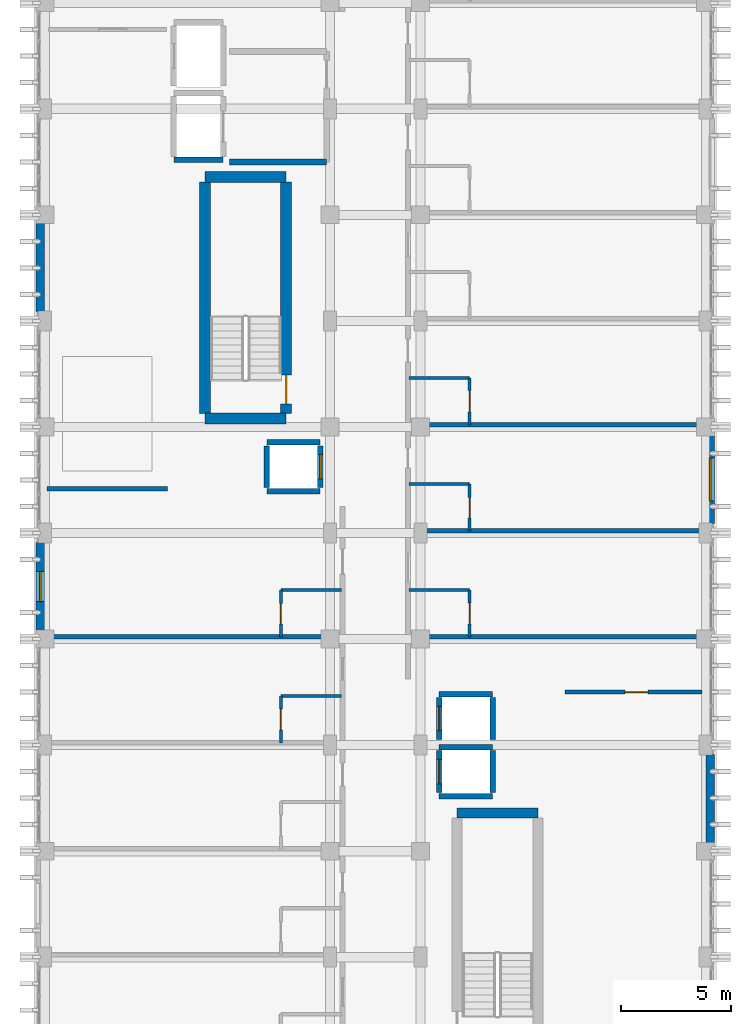
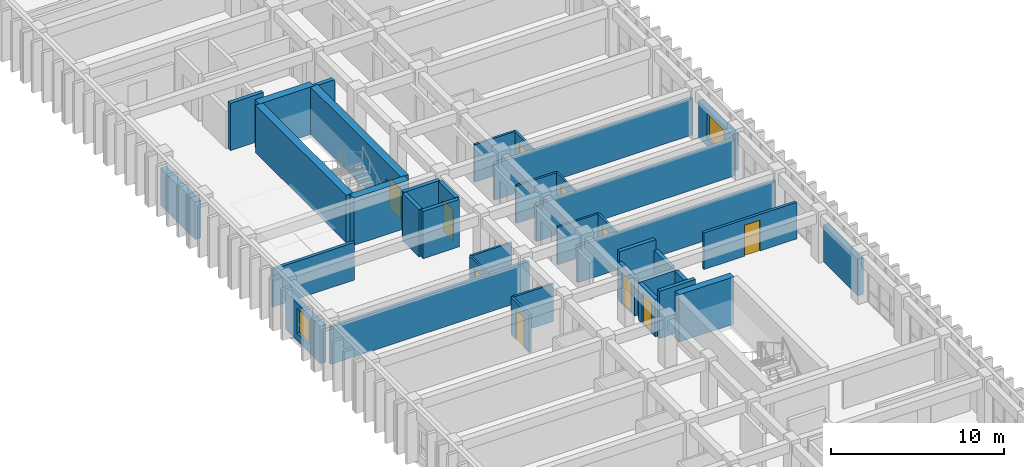
# One storey, part 65 of 82: 38 walls, 10 doors, 2 windows, 12 openings.
"""IFC4 building model written with IfcOpenShell, lengths in metres."""

from ifc_helpers import new_model, si_unit, direction, frame, frame_2d, origin, place, context, subcontext, project, spatial, rectangle, extrude, material, layer, layer_set, type_object, element, fill, save


model = new_model("IFC4")

# Units and contexts
model_context = context("Model", 3, precision=1e-05, world=origin(), true_north=direction((0.0, 1.0)))
body_context = subcontext(model_context, "Body", "Model", "MODEL_VIEW")
ifc_project = project(units=[si_unit("LENGTHUNIT", "METRE"), si_unit("AREAUNIT", "SQUARE_METRE"), si_unit("VOLUMEUNIT", "CUBIC_METRE"), si_unit("PLANEANGLEUNIT", "RADIAN"), si_unit("MASSUNIT", "GRAM", prefix="KILO")], contexts=[model_context])

# Site, building, storey
site_placement = place(None, origin())
site = spatial("IfcSite", under=ifc_project, at=site_placement, CompositionType="ELEMENT")
building_placement = place(site_placement, origin())
building = spatial("IfcBuilding", under=site, at=building_placement, Name="Nakhvara Creek Congress Hotel", CompositionType="ELEMENT")
storey_placement = place(building_placement, frame((0.0, 0.0, 21.0)))
storey = spatial("IfcBuildingStorey", under=building, at=storey_placement, Name="L04", CompositionType="ELEMENT", Elevation=21.0)

# Walls
ifc_material_1 = material(Name="Concrete C50/60", Category="concrete")
ifc_layer_1 = layer(ifc_material_1, 0.449951171875)
ifc_layer_set_1 = layer_set([ifc_layer_1], Name="Concrete C50/60")
wall_type_1 = type_object("IfcWallType", Name="W-CORE-450", PredefinedType="SHEAR", material=ifc_layer_set_1)
wall_1_placement = place(storey_placement, frame((168.10009765625, 59.320068359375, 0.0), z_axis=(0.0, 0.0, 1.0), x_axis=(1.0, 0.0, 0.0)))
element("IfcWall", 1, at=wall_1_placement, inside=storey, type_object=wall_type_1, Name="Core Shear Wall WS02-CWALL-L04-0688", PredefinedType="SHEAR", context=body_context, shape_type="SweptSolid", body=[
    extrude(rectangle(XDim=3.669921875, YDim=0.449951171875, at=frame_2d((1.8349609375, 0.0))), origin(), (0.0, 0.0, 1.0), 3.340087890625),
])
ifc_layer_2 = layer(ifc_material_1, 0.5)
ifc_layer_set_2 = layer_set([ifc_layer_2], Name="Concrete C50/60")
wall_type_2 = type_object("IfcWallType", Name="W-CORE-500", PredefinedType="SHEAR", material=ifc_layer_set_2)
for number, where, z_axis, x_axis, name in (
    (2, (156.699951171875, 77.179931640625, 0.0), (0.0, 0.0, 1.0), (1.0, 0.0, 0.0), "Core Shear Wall WS01-CWALL-L04-0109"),
    (3, (156.699951171875, 88.1201171875, 0.0), (0.0, 0.0, 1.0), (1.0, 0.0, 0.0), "Core Shear Wall WS01-CWALL-L04-0110"),
):
    element("IfcWall", number, at=place(storey_placement, frame(where, z_axis=z_axis, x_axis=x_axis)), inside=storey, type_object=wall_type_2, Name=name, PredefinedType="SHEAR", context=body_context, shape_type="SweptSolid", body=[
        extrude(rectangle(XDim=3.670166015625, YDim=0.5, at=frame_2d((1.8349609375, 0.0))), origin(), (0.0, 0.0, 1.0), 3.340087890625),
    ])
wall_2_placement = place(storey_placement, frame((156.699951171875, 77.39990234375, 0.0), z_axis=(0.0, 0.0, 1.0), x_axis=(0.0, 1.0, 0.0)))
element("IfcWall", 4, at=wall_2_placement, inside=storey, type_object=wall_type_2, Name="Core Shear Wall WS01-CWALL-L04-0111", PredefinedType="SHEAR", context=body_context, shape_type="SweptSolid", body=[
    extrude(rectangle(XDim=10.5, YDim=0.5, at=frame_2d((5.25, 0.0))), origin(), (0.0, 0.0, 1.0), 3.340087890625),
])

# Wall, opening, door
wall_3_placement = place(storey_placement, frame((160.3701171875, 77.39990234375, 0.0), z_axis=(0.0, 0.0, 1.0), x_axis=(0.0, 1.0, 0.0)))
wall_3 = element("IfcWall", 5, at=wall_3_placement, inside=storey, type_object=wall_type_2, Name="Core Shear Wall WS01-CWALL-L04-0112", PredefinedType="SHEAR", context=body_context, shape_type="SweptSolid", body=[
    extrude(rectangle(XDim=10.5, YDim=0.5, at=frame_2d((5.25, 0.0))), origin(), (0.0, 0.0, 1.0), 3.340087890625),
])
opening_1_placement = place(wall_3_placement, frame((0.449951171875, 0.0, 0.0)))
opening_1 = element("IfcOpeningElement", 6, at=opening_1_placement, cuts=wall_3, Name="Opening FD04", PredefinedType="OPENING", context=body_context, shape_type="SweptSolid", body=[
    extrude(rectangle(XDim=1.300048828125, YDim=2.14990234375, at=frame_2d((0.64990234375, 1.074951171875))), frame((0.0, 0.261962890625, 0.0), z_axis=(0.0, -1.0, 0.0), x_axis=(1.0, 0.0, 0.0)), (0.0, 0.0, 1.0), 0.52392578125),
])
ifc_material_2 = material(Name="Powder-coated steel fire door", Category="steel")
door_type_1 = type_object("IfcDoorType", Name="DT-STAIR-130", OperationType="NOTDEFINED", PredefinedType="DOOR", material=ifc_material_2)
door_1_placement = place(opening_1_placement, frame((1.300048828125, 0.0, 0.0), z_axis=(0.0, 0.0, 1.0), x_axis=(-1.0, 0.0, 0.0)))
door_1 = element("IfcDoor", 7, at=door_1_placement, inside=storey, type_object=door_type_1, Name="Stair Exit Door ST01-L04", OperationType="SINGLE_SWING_LEFT", OverallHeight=2.14990234375, OverallWidth=1.300048828125, PredefinedType="DOOR", context=body_context, shape_type="SweptSolid", body=[
    extrude(rectangle(XDim=1.300048828125, YDim=2.14990234375, at=frame_2d((0.64990234375, 1.074951171875))), frame((0.0, 0.02490234375, 0.0), z_axis=(0.0, -1.0, 0.0), x_axis=(1.0, 0.0, 0.0)), (0.0, 0.0, 1.0), 0.050048828125),
])
fill(opening_1, door_1)

ifc_material_3 = material(Name="Moisture-resistant gypsum board partition")
ifc_layer_3 = layer(ifc_material_3, 0.139892578125)
ifc_layer_set_3 = layer_set([ifc_layer_3], Name="Moisture-resistant gypsum board partition")
wall_type_3 = type_object("IfcWallType", Name="W-ENS-140", PredefinedType="PARTITIONING", material=ifc_layer_set_3)
wall_4_placement = place(storey_placement, frame((160.1298828125, 62.5, 0.0), z_axis=(0.0, 0.0, 1.0), x_axis=(0.0, 1.0, 0.0)))
wall_4 = element("IfcWall", 8, at=wall_4_placement, inside=storey, type_object=wall_type_3, Name="Interior Wall WP15-IW-L04-0324", PredefinedType="PARTITIONING", context=body_context, shape_type="SweptSolid", body=[
    extrude(rectangle(XDim=2.115966796875, YDim=0.139892578125, at=frame_2d((1.05810546875, 0.0))), origin(), (0.0, 0.0, 1.0), 2.652099609375),
])
opening_2_placement = place(wall_4_placement, frame((0.5830078125, 0.0, 0.0)))
opening_2 = element("IfcOpeningElement", 9, at=opening_2_placement, cuts=wall_4, Name="Opening ID02", PredefinedType="OPENING", context=body_context, shape_type="SweptSolid", body=[
    extrude(rectangle(XDim=0.9599609375, YDim=2.1201171875, at=frame_2d((0.47998046875, 1.06005859375))), frame((0.0, 0.08203125, 0.0), z_axis=(0.0, -1.0, 0.0), x_axis=(1.0, 0.0, 0.0)), (0.0, 0.0, 1.0), 0.163818359375),
])
ifc_material_4 = material(Name="Moisture-resistant walnut timber door", Category="wood")
door_type_2 = type_object("IfcDoorType", Name="DT-ENS-096", OperationType="NOTDEFINED", PredefinedType="DOOR", material=ifc_material_4)
door_2_placement = place(opening_2_placement, origin())
door_2 = element("IfcDoor", 10, at=door_2_placement, inside=storey, type_object=door_type_2, Name="Interior Door ID02-0273", OperationType="SINGLE_SWING_RIGHT", OverallHeight=2.1201171875, OverallWidth=0.9599609375, PredefinedType="DOOR", context=body_context, shape_type="SweptSolid", body=[
    extrude(rectangle(XDim=0.9599609375, YDim=2.1201171875, at=frame_2d((0.47998046875, 1.06005859375))), frame((0.0, 0.02490234375, 0.0), z_axis=(0.0, -1.0, 0.0), x_axis=(1.0, 0.0, 0.0)), (0.0, 0.0, 1.0), 0.050048828125),
])
fill(opening_2, door_2)

# Wall
wall_5_placement = place(storey_placement, frame((160.1298828125, 64.615966796875, 0.0), z_axis=(0.0, 0.0, 1.0), x_axis=(1.0, 0.0, 0.0)))
element("IfcWall", 11, at=wall_5_placement, inside=storey, type_object=wall_type_3, Name="Interior Wall WP15-IW-L04-0325", PredefinedType="PARTITIONING", context=body_context, shape_type="SweptSolid", body=[
    extrude(rectangle(XDim=2.75, YDim=0.139892578125, at=frame_2d((1.375, 0.0))), origin(), (0.0, 0.0, 1.0), 2.652099609375),
])

# Wall, opening, door
wall_6_placement = place(storey_placement, frame((160.1298828125, 67.300048828125, 0.0), z_axis=(0.0, 0.0, 1.0), x_axis=(0.0, 1.0, 0.0)))
wall_6 = element("IfcWall", 12, at=wall_6_placement, inside=storey, type_object=wall_type_3, Name="Interior Wall WP15-IW-L04-0327", PredefinedType="PARTITIONING", context=body_context, shape_type="SweptSolid", body=[
    extrude(rectangle(XDim=2.115966796875, YDim=0.139892578125, at=frame_2d((1.05810546875, 0.0))), origin(), (0.0, 0.0, 1.0), 2.652099609375),
])
opening_3_placement = place(wall_6_placement, frame((0.5830078125, 0.0, 0.0)))
opening_3 = element("IfcOpeningElement", 13, at=opening_3_placement, cuts=wall_6, Name="Opening ID01", PredefinedType="OPENING", context=body_context, shape_type="SweptSolid", body=[
    extrude(rectangle(XDim=0.919921875, YDim=2.10009765625, at=frame_2d((0.4599609375, 1.050048828125))), frame((0.0, 0.08203125, 0.0), z_axis=(0.0, -1.0, 0.0), x_axis=(1.0, 0.0, 0.0)), (0.0, 0.0, 1.0), 0.163818359375),
])
door_type_3 = type_object("IfcDoorType", Name="DT-ENS-092", OperationType="NOTDEFINED", PredefinedType="DOOR", material=ifc_material_4)
door_3_placement = place(opening_3_placement, origin())
door_3 = element("IfcDoor", 14, at=door_3_placement, inside=storey, type_object=door_type_3, Name="Interior Door ID01-0275", OperationType="SINGLE_SWING_RIGHT", OverallHeight=2.10009765625, OverallWidth=0.919921875, PredefinedType="DOOR", context=body_context, shape_type="SweptSolid", body=[
    extrude(rectangle(XDim=0.919921875, YDim=2.10009765625, at=frame_2d((0.4599609375, 1.050048828125))), frame((0.0, 0.02490234375, 0.0), z_axis=(0.0, -1.0, 0.0), x_axis=(1.0, 0.0, 0.0)), (0.0, 0.0, 1.0), 0.050048828125),
])
fill(opening_3, door_3)

# Wall
wall_7_placement = place(storey_placement, frame((160.1298828125, 69.416015625, 0.0), z_axis=(0.0, 0.0, 1.0), x_axis=(1.0, 0.0, 0.0)))
element("IfcWall", 15, at=wall_7_placement, inside=storey, type_object=wall_type_3, Name="Interior Wall WP15-IW-L04-0328", PredefinedType="PARTITIONING", context=body_context, shape_type="SweptSolid", body=[
    extrude(rectangle(XDim=2.75, YDim=0.139892578125, at=frame_2d((1.375, 0.0))), origin(), (0.0, 0.0, 1.0), 2.652099609375),
])

# Wall, opening, door
wall_8_placement = place(storey_placement, frame((168.669921875, 67.300048828125, 0.0), z_axis=(0.0, 0.0, 1.0), x_axis=(0.0, 1.0, 0.0)))
wall_8 = element("IfcWall", 16, at=wall_8_placement, inside=storey, type_object=wall_type_3, Name="Interior Wall WP15-IW-L04-0332", PredefinedType="PARTITIONING", context=body_context, shape_type="SweptSolid", body=[
    extrude(rectangle(XDim=2.115966796875, YDim=0.139892578125, at=frame_2d((1.05810546875, 0.0))), origin(), (0.0, 0.0, 1.0), 2.652099609375),
])
opening_4_placement = place(wall_8_placement, frame((0.5830078125, 0.0, 0.0)))
opening_4 = element("IfcOpeningElement", 17, at=opening_4_placement, cuts=wall_8, Name="Opening ID02", PredefinedType="OPENING", context=body_context, shape_type="SweptSolid", body=[
    extrude(rectangle(XDim=0.9599609375, YDim=2.1201171875, at=frame_2d((0.47998046875, 1.06005859375))), frame((0.0, 0.08203125, 0.0), z_axis=(0.0, -1.0, 0.0), x_axis=(1.0, 0.0, 0.0)), (0.0, 0.0, 1.0), 0.163818359375),
])
door_4_placement = place(opening_4_placement, frame((0.9599609375, 0.0, 0.0), z_axis=(0.0, 0.0, 1.0), x_axis=(-1.0, 0.0, 0.0)))
door_4 = element("IfcDoor", 18, at=door_4_placement, inside=storey, type_object=door_type_2, Name="Interior Door ID02-0279", OperationType="SINGLE_SWING_RIGHT", OverallHeight=2.1201171875, OverallWidth=0.9599609375, PredefinedType="DOOR", context=body_context, shape_type="SweptSolid", body=[
    extrude(rectangle(XDim=0.9599609375, YDim=2.1201171875, at=frame_2d((0.47998046875, 1.06005859375))), frame((0.0, 0.02490234375, 0.0), z_axis=(0.0, -1.0, 0.0), x_axis=(1.0, 0.0, 0.0)), (0.0, 0.0, 1.0), 0.050048828125),
])
fill(opening_4, door_4)

# Wall
wall_9_placement = place(storey_placement, frame((165.919921875, 69.416015625, 0.0), z_axis=(0.0, 0.0, 1.0), x_axis=(1.0, 0.0, 0.0)))
element("IfcWall", 19, at=wall_9_placement, inside=storey, type_object=wall_type_3, Name="Interior Wall WP15-IW-L04-0333", PredefinedType="PARTITIONING", context=body_context, shape_type="SweptSolid", body=[
    extrude(rectangle(XDim=2.75, YDim=0.139892578125, at=frame_2d((1.375, 0.0))), origin(), (0.0, 0.0, 1.0), 2.652099609375),
])

# Wall, opening, door
wall_10_placement = place(storey_placement, frame((168.669921875, 72.10009765625, 0.0), z_axis=(0.0, 0.0, 1.0), x_axis=(0.0, 1.0, 0.0)))
wall_10 = element("IfcWall", 20, at=wall_10_placement, inside=storey, type_object=wall_type_3, Name="Interior Wall WP15-IW-L04-0335", PredefinedType="PARTITIONING", context=body_context, shape_type="SweptSolid", body=[
    extrude(rectangle(XDim=2.115966796875, YDim=0.139892578125, at=frame_2d((1.05810546875, 0.0))), origin(), (0.0, 0.0, 1.0), 2.652099609375),
])
opening_5_placement = place(wall_10_placement, frame((0.5830078125, 0.0, 0.0)))
opening_5 = element("IfcOpeningElement", 21, at=opening_5_placement, cuts=wall_10, Name="Opening ID01", PredefinedType="OPENING", context=body_context, shape_type="SweptSolid", body=[
    extrude(rectangle(XDim=0.919921875, YDim=2.10009765625, at=frame_2d((0.4599609375, 1.050048828125))), frame((0.0, 0.08203125, 0.0), z_axis=(0.0, -1.0, 0.0), x_axis=(1.0, 0.0, 0.0)), (0.0, 0.0, 1.0), 0.163818359375),
])
door_5_placement = place(opening_5_placement, frame((0.919921875, 0.0, 0.0), z_axis=(0.0, 0.0, 1.0), x_axis=(-1.0, 0.0, 0.0)))
door_5 = element("IfcDoor", 22, at=door_5_placement, inside=storey, type_object=door_type_3, Name="Interior Door ID01-0281", OperationType="SINGLE_SWING_RIGHT", OverallHeight=2.10009765625, OverallWidth=0.919921875, PredefinedType="DOOR", context=body_context, shape_type="SweptSolid", body=[
    extrude(rectangle(XDim=0.919921875, YDim=2.10009765625, at=frame_2d((0.4599609375, 1.050048828125))), frame((0.0, 0.02490234375, 0.0), z_axis=(0.0, -1.0, 0.0), x_axis=(1.0, 0.0, 0.0)), (0.0, 0.0, 1.0), 0.050048828125),
])
fill(opening_5, door_5)

# Wall
wall_11_placement = place(storey_placement, frame((165.919921875, 74.216064453125, 0.0), z_axis=(0.0, 0.0, 1.0), x_axis=(1.0, 0.0, 0.0)))
element("IfcWall", 23, at=wall_11_placement, inside=storey, type_object=wall_type_3, Name="Interior Wall WP15-IW-L04-0336", PredefinedType="PARTITIONING", context=body_context, shape_type="SweptSolid", body=[
    extrude(rectangle(XDim=2.75, YDim=0.139892578125, at=frame_2d((1.375, 0.0))), origin(), (0.0, 0.0, 1.0), 2.652099609375),
])

# Wall, opening, door
wall_12_placement = place(storey_placement, frame((168.669921875, 76.89990234375, 0.0), z_axis=(0.0, 0.0, 1.0), x_axis=(0.0, 1.0, 0.0)))
wall_12 = element("IfcWall", 24, at=wall_12_placement, inside=storey, type_object=wall_type_3, Name="Interior Wall WP15-IW-L04-0338", PredefinedType="PARTITIONING", context=body_context, shape_type="SweptSolid", body=[
    extrude(rectangle(XDim=2.1162109375, YDim=0.139892578125, at=frame_2d((1.05810546875, 0.0))), origin(), (0.0, 0.0, 1.0), 2.652099609375),
])
opening_6_placement = place(wall_12_placement, frame((0.5830078125, 0.0, 0.0)))
opening_6 = element("IfcOpeningElement", 25, at=opening_6_placement, cuts=wall_12, Name="Opening ID02", PredefinedType="OPENING", context=body_context, shape_type="SweptSolid", body=[
    extrude(rectangle(XDim=0.9599609375, YDim=2.1201171875, at=frame_2d((0.47998046875, 1.06005859375))), frame((0.0, 0.08203125, 0.0), z_axis=(0.0, -1.0, 0.0), x_axis=(1.0, 0.0, 0.0)), (0.0, 0.0, 1.0), 0.163818359375),
])
door_6_placement = place(opening_6_placement, frame((0.9599609375, 0.0, 0.0), z_axis=(0.0, 0.0, 1.0), x_axis=(-1.0, 0.0, 0.0)))
door_6 = element("IfcDoor", 26, at=door_6_placement, inside=storey, type_object=door_type_2, Name="Interior Door ID02-0283", OperationType="SINGLE_SWING_RIGHT", OverallHeight=2.1201171875, OverallWidth=0.9599609375, PredefinedType="DOOR", context=body_context, shape_type="SweptSolid", body=[
    extrude(rectangle(XDim=0.9599609375, YDim=2.1201171875, at=frame_2d((0.47998046875, 1.06005859375))), frame((0.0, 0.02490234375, 0.0), z_axis=(0.0, -1.0, 0.0), x_axis=(1.0, 0.0, 0.0)), (0.0, 0.0, 1.0), 0.050048828125),
])
fill(opening_6, door_6)

# Walls
wall_13_placement = place(storey_placement, frame((165.919921875, 79.01611328125, 0.0), z_axis=(0.0, 0.0, 1.0), x_axis=(1.0, 0.0, 0.0)))
element("IfcWall", 27, at=wall_13_placement, inside=storey, type_object=wall_type_3, Name="Interior Wall WP15-IW-L04-0339", PredefinedType="PARTITIONING", context=body_context, shape_type="SweptSolid", body=[
    extrude(rectangle(XDim=2.75, YDim=0.139892578125, at=frame_2d((1.375, 0.0))), origin(), (0.0, 0.0, 1.0), 2.652099609375),
])
ifc_material_5 = material(Name="Honed pale Omani limestone cladding", Category="masonry")
ifc_layer_4 = layer(ifc_material_5, 0.050048828125)
ifc_material_6 = material(Name="Mineral wool thermal insulation")
ifc_layer_5 = layer(ifc_material_6, 0.110107421875)
ifc_material_7 = material(Name="Precast concrete C40/50", Category="concrete")
ifc_layer_6 = layer(ifc_material_7, 0.219970703125)
ifc_layer_set_4 = layer_set([ifc_layer_4, ifc_layer_5, ifc_layer_6], Name="Precast concrete C40/50")
wall_type_4 = type_object("IfcWallType", Name="W-EXT-380", PredefinedType="SOLIDWALL", material=ifc_layer_set_4)
wall_14_placement = place(storey_placement, frame((179.56005859375, 61.97509765625, 0.0), z_axis=(0.0, 0.0, 1.0), x_axis=(0.0, -1.0, 0.0)))
element("IfcWall", 28, at=wall_14_placement, inside=storey, type_object=wall_type_4, Name="Exterior Wall WE03-EW-L04-0138", PredefinedType="SOLIDWALL", context=body_context, shape_type="SweptSolid", body=[
    extrude(rectangle(XDim=4.0, YDim=0.3798828125, at=frame_2d((2.0, 0.0))), origin(), (0.0, 0.0, 1.0), 2.58203125),
])

# Wall, opening, window
wall_15_placement = place(storey_placement, frame((149.239990234375, 67.574951171875, 0.0), z_axis=(0.0, 0.0, 1.0), x_axis=(0.0, 1.0, 0.0)))
wall_15 = element("IfcWall", 29, at=wall_15_placement, inside=storey, type_object=wall_type_4, Name="Exterior Wall WE03-EW-L04-0139", PredefinedType="SOLIDWALL", context=body_context, shape_type="SweptSolid", body=[
    extrude(rectangle(XDim=4.0, YDim=0.3798828125, at=frame_2d((2.0, 0.0))), origin(), (0.0, 0.0, 1.0), 2.652099609375),
])
opening_7_placement = place(wall_15_placement, frame((1.324951171875, 0.0, 0.550048828125)))
opening_7 = element("IfcOpeningElement", 30, at=opening_7_placement, cuts=wall_15, Name="Opening WN0150", PredefinedType="OPENING", context=body_context, shape_type="SweptSolid", body=[
    extrude(rectangle(XDim=1.35009765625, YDim=1.72998046875, at=frame_2d((0.675048828125, 0.864990234375))), frame((0.0, 0.201904296875, 0.0), z_axis=(0.0, -1.0, 0.0), x_axis=(1.0, 0.0, 0.0)), (0.0, 0.0, 1.0), 0.40380859375),
])
ifc_material_8 = material(Name="Thermally broken bronze-anodised aluminium and double-silver low-E insulated glass", Category="aluminium")
window_type_1 = type_object("IfcWindowType", Name="WN-LAN-135X220", PartitioningType="SINGLE_PANEL", PredefinedType="WINDOW", material=ifc_material_8)
window_1_placement = place(opening_7_placement, origin())
window_1 = element("IfcWindow", 31, at=window_1_placement, inside=storey, type_object=window_type_1, Name="Facade Window WN0150", OverallHeight=1.72998046875, OverallWidth=1.35009765625, PartitioningType="SINGLE_PANEL", PredefinedType="WINDOW", context=body_context, shape_type="SweptSolid", body=[
    extrude(rectangle(XDim=1.35009765625, YDim=1.72998046875, at=frame_2d((0.675048828125, 0.864990234375))), frame((0.0, 0.030029296875, 0.0), z_axis=(0.0, -1.0, 0.0), x_axis=(1.0, 0.0, 0.0)), (0.0, 0.0, 1.0), 0.06005859375),
])
fill(opening_7, window_1)

wall_16_placement = place(storey_placement, frame((179.56005859375, 76.425048828125, 0.0), z_axis=(0.0, 0.0, 1.0), x_axis=(0.0, -1.0, 0.0)))
wall_16 = element("IfcWall", 32, at=wall_16_placement, inside=storey, type_object=wall_type_4, Name="Exterior Wall WE03-EW-L04-0140", PredefinedType="SOLIDWALL", context=body_context, shape_type="SweptSolid", body=[
    extrude(rectangle(XDim=4.0, YDim=0.3798828125, at=frame_2d((2.0, 0.0))), origin(), (0.0, 0.0, 1.0), 2.58203125),
])
opening_8_placement = place(wall_16_placement, frame((1.02490234375, 0.0, 0.550048828125)))
opening_8 = element("IfcOpeningElement", 33, at=opening_8_placement, cuts=wall_16, Name="Opening WN0151", PredefinedType="OPENING", context=body_context, shape_type="SweptSolid", body=[
    extrude(rectangle(XDim=1.949951171875, YDim=1.77001953125, at=frame_2d((0.97509765625, 0.885009765625))), frame((0.0, 0.201904296875, 0.0), z_axis=(0.0, -1.0, 0.0), x_axis=(1.0, 0.0, 0.0)), (0.0, 0.0, 1.0), 0.40380859375),
])
window_type_2 = type_object("IfcWindowType", Name="WN-LAN-195X230", PartitioningType="SINGLE_PANEL", PredefinedType="WINDOW", material=ifc_material_8)
window_2_placement = place(opening_8_placement, origin())
window_2 = element("IfcWindow", 34, at=window_2_placement, inside=storey, type_object=window_type_2, Name="Facade Window WN0151", OverallHeight=1.77001953125, OverallWidth=1.949951171875, PartitioningType="SINGLE_PANEL", PredefinedType="WINDOW", context=body_context, shape_type="SweptSolid", body=[
    extrude(rectangle(XDim=1.949951171875, YDim=1.77001953125, at=frame_2d((0.97509765625, 0.885009765625))), frame((0.0, 0.030029296875, 0.0), z_axis=(0.0, -1.0, 0.0), x_axis=(1.0, 0.0, 0.0)), (0.0, 0.0, 1.0), 0.06005859375),
])
fill(opening_8, window_2)

# Walls
wall_17_placement = place(storey_placement, frame((149.239990234375, 82.02490234375, 0.0), z_axis=(0.0, 0.0, 1.0), x_axis=(0.0, 1.0, 0.0)))
element("IfcWall", 35, at=wall_17_placement, inside=storey, type_object=wall_type_4, Name="Exterior Wall WE03-EW-L04-0141", PredefinedType="SOLIDWALL", context=body_context, shape_type="SweptSolid", body=[
    extrude(rectangle(XDim=4.0, YDim=0.3798828125, at=frame_2d((2.0, 0.0))), origin(), (0.0, 0.0, 1.0), 2.652099609375),
])
ifc_material_9 = material(Name="Concrete C40/50", Category="concrete")
ifc_layer_7 = layer(ifc_material_9, 0.260009765625)
ifc_layer_set_5 = layer_set([ifc_layer_7], Name="Concrete C40/50")
wall_type_5 = type_object("IfcWallType", Name="W-FFL-260", PredefinedType="SOLIDWALL", material=ifc_layer_set_5)
wall_18_placement = place(storey_placement, frame((157.800048828125, 88.800048828125, 0.0), z_axis=(0.0, 0.0, 1.0), x_axis=(1.0, 0.0, 0.0)))
element("IfcWall", 36, at=wall_18_placement, inside=storey, type_object=wall_type_5, Name="Core Shear Wall WI03-CWALL-L04-0125", PredefinedType="SOLIDWALL", context=body_context, shape_type="SweptSolid", body=[
    extrude(rectangle(XDim=4.39990234375, YDim=0.260009765625, at=frame_2d((2.199951171875, 0.0))), origin(), (0.0, 0.0, 1.0), 2.652099609375),
])

# Wall, opening, door
ifc_material_10 = material(Name="Gypsum acoustic board on steel stud", Category="steel")
ifc_layer_8 = layer(ifc_material_10, 0.179931640625)
ifc_layer_set_6 = layer_set([ifc_layer_8], Name="Gypsum acoustic board on steel stud")
wall_type_6 = type_object("IfcWallType", Name="W-MEET-180", PredefinedType="PARTITIONING", material=ifc_layer_set_6)
wall_19_placement = place(storey_placement, frame((173.0, 64.800048828125, 0.0), z_axis=(0.0, 0.0, 1.0), x_axis=(1.0, 0.0, 0.0)))
wall_19 = element("IfcWall", 37, at=wall_19_placement, inside=storey, type_object=wall_type_6, Name="Interior Wall WP13-IW-L04-0301", PredefinedType="PARTITIONING", context=body_context, shape_type="SweptSolid", body=[
    extrude(rectangle(XDim=6.199951171875, YDim=0.179931640625, at=frame_2d((3.10009765625, 0.0))), origin(), (0.0, 0.0, 1.0), 2.58203125),
])
opening_9_placement = place(wall_19_placement, frame((2.699951171875, 0.0, 0.0)))
opening_9 = element("IfcOpeningElement", 38, at=opening_9_placement, cuts=wall_19, Name="Opening ID04", PredefinedType="OPENING", context=body_context, shape_type="SweptSolid", body=[
    extrude(rectangle(XDim=1.050048828125, YDim=2.179931640625, at=frame_2d((0.52490234375, 1.08984375))), frame((0.0, 0.10205078125, 0.0), z_axis=(0.0, -1.0, 0.0), x_axis=(1.0, 0.0, 0.0)), (0.0, 0.0, 1.0), 0.203857421875),
])
ifc_material_11 = material(Name="Teak timber & frosted glass spa door", Category="wood")
door_type_4 = type_object("IfcDoorType", Name="DT-SPA-105", OperationType="NOTDEFINED", PredefinedType="DOOR", material=ifc_material_11)
door_7_placement = place(opening_9_placement, origin())
door_7 = element("IfcDoor", 39, at=door_7_placement, inside=storey, type_object=door_type_4, Name="Interior Door ID04-0257", OperationType="SINGLE_SWING_RIGHT", OverallHeight=2.179931640625, OverallWidth=1.050048828125, PredefinedType="DOOR", context=body_context, shape_type="SweptSolid", body=[
    extrude(rectangle(XDim=1.050048828125, YDim=2.179931640625, at=frame_2d((0.52490234375, 1.08984375))), frame((0.0, 0.02490234375, 0.0), z_axis=(0.0, -1.0, 0.0), x_axis=(1.0, 0.0, 0.0)), (0.0, 0.0, 1.0), 0.050048828125),
])
fill(opening_9, door_7)

# Walls
ifc_layer_9 = layer(ifc_material_10, 0.199951171875)
ifc_layer_set_7 = layer_set([ifc_layer_9], Name="Gypsum acoustic board on steel stud")
wall_type_7 = type_object("IfcWallType", Name="W-PART-200", PredefinedType="PARTITIONING", material=ifc_layer_set_7)
wall_20_placement = place(storey_placement, frame((149.550048828125, 74.0, 0.0), z_axis=(0.0, 0.0, 1.0), x_axis=(1.0, 0.0, 0.0)))
element("IfcWall", 40, at=wall_20_placement, inside=storey, type_object=wall_type_7, Name="Interior Wall WP12-IW-L04-0295", PredefinedType="PARTITIONING", context=body_context, shape_type="SweptSolid", body=[
    extrude(rectangle(XDim=5.449951171875, YDim=0.199951171875, at=frame_2d((2.72509765625, 0.0))), origin(), (0.0, 0.0, 1.0), 2.652099609375),
])
wall_21_placement = place(storey_placement, frame((149.550048828125, 67.300048828125, 0.0), z_axis=(0.0, 0.0, 1.0), x_axis=(1.0, 0.0, 0.0)))
element("IfcWall", 41, at=wall_21_placement, inside=storey, type_object=wall_type_7, Name="Interior Wall WP12-IW-L04-0326", PredefinedType="PARTITIONING", context=body_context, shape_type="SweptSolid", body=[
    extrude(rectangle(XDim=13.22998046875, YDim=0.199951171875, at=frame_2d((6.614990234375, 0.0))), origin(), (0.0, 0.0, 1.0), 2.652099609375),
])
for number, where, z_axis, x_axis, name in (
    (42, (166.02001953125, 67.300048828125, 0.0), (0.0, 0.0, 1.0), (1.0, 0.0, 0.0), "Interior Wall WP12-IW-L04-0331"),
    (43, (166.02001953125, 72.10009765625, 0.0), (0.0, 0.0, 1.0), (1.0, 0.0, 0.0), "Interior Wall WP12-IW-L04-0334"),
    (44, (166.02001953125, 76.89990234375, 0.0), (0.0, 0.0, 1.0), (1.0, 0.0, 0.0), "Interior Wall WP12-IW-L04-0337"),
):
    element("IfcWall", number, at=place(storey_placement, frame(where, z_axis=z_axis, x_axis=x_axis)), inside=storey, type_object=wall_type_7, Name=name, PredefinedType="PARTITIONING", context=body_context, shape_type="SweptSolid", body=[
        extrude(rectangle(XDim=13.22998046875, YDim=0.199951171875, at=frame_2d((6.614990234375, 0.0))), origin(), (0.0, 0.0, 1.0), 2.58203125),
    ])
ifc_layer_10 = layer(ifc_material_9, 0.25)
ifc_layer_set_8 = layer_set([ifc_layer_10], Name="Concrete C40/50")
wall_type_8 = type_object("IfcWallType", Name="W-SHAFT-250", PredefinedType="SOLIDWALL", material=ifc_layer_set_8)
wall_22_placement = place(storey_placement, frame((155.2900390625, 88.889892578125, 0.0), z_axis=(0.0, 0.0, 1.0), x_axis=(1.0, 0.0, 0.0)))
element("IfcWall", 45, at=wall_22_placement, inside=storey, type_object=wall_type_8, Name="Core Shear Wall WI02-CWALL-L04-0113", PredefinedType="SOLIDWALL", context=body_context, shape_type="SweptSolid", body=[
    extrude(rectangle(XDim=2.219970703125, YDim=0.25, at=frame_2d((1.10986328125, 0.0))), origin(), (0.0, 0.0, 1.0), 3.340087890625),
])
for number, where, z_axis, x_axis, name in (
    (46, (159.489990234375, 73.889892578125, 0.0), (0.0, 0.0, 1.0), (1.0, 0.0, 0.0), "Core Shear Wall WI02-CWALL-L04-0120"),
    (47, (159.489990234375, 76.110107421875, 0.0), (0.0, 0.0, 1.0), (1.0, 0.0, 0.0), "Core Shear Wall WI02-CWALL-L04-0121"),
):
    element("IfcWall", number, at=place(storey_placement, frame(where, z_axis=z_axis, x_axis=x_axis)), inside=storey, type_object=wall_type_8, Name=name, PredefinedType="SOLIDWALL", context=body_context, shape_type="SweptSolid", body=[
        extrude(rectangle(XDim=2.419921875, YDim=0.25, at=frame_2d((1.2099609375, 0.0))), origin(), (0.0, 0.0, 1.0), 3.340087890625),
    ])
wall_23_placement = place(storey_placement, frame((159.489990234375, 74.050048828125, 0.0), z_axis=(0.0, 0.0, 1.0), x_axis=(0.0, 1.0, 0.0)))
element("IfcWall", 48, at=wall_23_placement, inside=storey, type_object=wall_type_8, Name="Core Shear Wall WI02-CWALL-L04-0122", PredefinedType="SOLIDWALL", context=body_context, shape_type="SweptSolid", body=[
    extrude(rectangle(XDim=1.89990234375, YDim=0.25, at=frame_2d((0.949951171875, 0.0))), origin(), (0.0, 0.0, 1.0), 3.340087890625),
])

# Wall, opening, door
wall_24_placement = place(storey_placement, frame((161.909912109375, 74.050048828125, 0.0), z_axis=(0.0, 0.0, 1.0), x_axis=(0.0, 1.0, 0.0)))
wall_24 = element("IfcWall", 49, at=wall_24_placement, inside=storey, type_object=wall_type_8, Name="Core Shear Wall WI02-CWALL-L04-0123", PredefinedType="SOLIDWALL", context=body_context, shape_type="SweptSolid", body=[
    extrude(rectangle(XDim=1.89990234375, YDim=0.25, at=frame_2d((0.949951171875, 0.0))), origin(), (0.0, 0.0, 1.0), 3.340087890625),
])
opening_10_placement = place(wall_24_placement, frame((0.39990234375, 0.0, 0.0)))
opening_10 = element("IfcOpeningElement", 50, at=opening_10_placement, cuts=wall_24, Name="Opening LD01", PredefinedType="OPENING", context=body_context, shape_type="SweptSolid", body=[
    extrude(rectangle(XDim=1.10009765625, YDim=2.199951171875, at=frame_2d((0.550048828125, 1.10009765625))), frame((0.0, 0.136962890625, 0.0), z_axis=(0.0, -1.0, 0.0), x_axis=(1.0, 0.0, 0.0)), (0.0, 0.0, 1.0), 0.27392578125),
])
ifc_material_12 = material(Name="Brushed stainless steel sliding landing door", Category="steel")
door_type_5 = type_object("IfcDoorType", Name="DT-LIFT-110", OperationType="DOUBLE_DOOR_SLIDING", PredefinedType="DOOR", material=ifc_material_12)
door_8_placement = place(opening_10_placement, origin())
door_8 = element("IfcDoor", 51, at=door_8_placement, inside=storey, type_object=door_type_5, Name="Landing Door PL02-L04", OperationType="SLIDING_TO_LEFT", OverallHeight=2.199951171875, OverallWidth=1.10009765625, PredefinedType="DOOR", context=body_context, shape_type="SweptSolid", body=[
    extrude(rectangle(XDim=1.10009765625, YDim=2.199951171875, at=frame_2d((0.550048828125, 1.10009765625))), frame((0.0, 0.02490234375, 0.0), z_axis=(0.0, -1.0, 0.0), x_axis=(1.0, 0.0, 0.0)), (0.0, 0.0, 1.0), 0.050048828125),
])
fill(opening_10, door_8)

# Walls
wall_25_placement = place(storey_placement, frame((167.2900390625, 60.090087890625, 0.0), z_axis=(0.0, 0.0, 1.0), x_axis=(1.0, 0.0, 0.0)))
element("IfcWall", 52, at=wall_25_placement, inside=storey, type_object=wall_type_8, Name="Core Shear Wall WI02-CWALL-L04-0691", PredefinedType="SOLIDWALL", context=body_context, shape_type="SweptSolid", body=[
    extrude(rectangle(XDim=2.419921875, YDim=0.25, at=frame_2d((1.2099609375, 0.0))), origin(), (0.0, 0.0, 1.0), 3.340087890625),
])
wall_26_placement = place(storey_placement, frame((167.2900390625, 62.31005859375, 0.0), z_axis=(0.0, 0.0, 1.0), x_axis=(1.0, 0.0, 0.0)))
element("IfcWall", 53, at=wall_26_placement, inside=storey, type_object=wall_type_8, Name="Core Shear Wall WI02-CWALL-L04-0692", PredefinedType="SOLIDWALL", context=body_context, shape_type="SweptSolid", body=[
    extrude(rectangle(XDim=2.419921875, YDim=0.25, at=frame_2d((1.2099609375, 0.0))), origin(), (0.0, 0.0, 1.0), 2.652099609375),
])

# Wall, opening, door
wall_27_placement = place(storey_placement, frame((167.2900390625, 60.25, 0.0), z_axis=(0.0, 0.0, 1.0), x_axis=(0.0, 1.0, 0.0)))
wall_27 = element("IfcWall", 54, at=wall_27_placement, inside=storey, type_object=wall_type_8, Name="Core Shear Wall WI02-CWALL-L04-0693", PredefinedType="SOLIDWALL", context=body_context, shape_type="SweptSolid", body=[
    extrude(rectangle(XDim=1.89990234375, YDim=0.25, at=frame_2d((0.949951171875, 0.0))), origin(), (0.0, 0.0, 1.0), 2.652099609375),
])
opening_11_placement = place(wall_27_placement, frame((0.39990234375, 0.0, 0.0)))
opening_11 = element("IfcOpeningElement", 55, at=opening_11_placement, cuts=wall_27, Name="Opening LD01", PredefinedType="OPENING", context=body_context, shape_type="SweptSolid", body=[
    extrude(rectangle(XDim=1.10009765625, YDim=2.199951171875, at=frame_2d((0.550048828125, 1.10009765625))), frame((0.0, 0.136962890625, 0.0), z_axis=(0.0, -1.0, 0.0), x_axis=(1.0, 0.0, 0.0)), (0.0, 0.0, 1.0), 0.27392578125),
])
door_9_placement = place(opening_11_placement, origin())
door_9 = element("IfcDoor", 56, at=door_9_placement, inside=storey, type_object=door_type_5, Name="Landing Door PL05-L04", OperationType="SLIDING_TO_LEFT", OverallHeight=2.199951171875, OverallWidth=1.10009765625, PredefinedType="DOOR", context=body_context, shape_type="SweptSolid", body=[
    extrude(rectangle(XDim=1.10009765625, YDim=2.199951171875, at=frame_2d((0.550048828125, 1.10009765625))), frame((0.0, 0.02490234375, 0.0), z_axis=(0.0, -1.0, 0.0), x_axis=(1.0, 0.0, 0.0)), (0.0, 0.0, 1.0), 0.050048828125),
])
fill(opening_11, door_9)

# Walls
wall_28_placement = place(storey_placement, frame((169.7099609375, 60.25, 0.0), z_axis=(0.0, 0.0, 1.0), x_axis=(0.0, 1.0, 0.0)))
element("IfcWall", 57, at=wall_28_placement, inside=storey, type_object=wall_type_8, Name="Core Shear Wall WI02-CWALL-L04-0694", PredefinedType="SOLIDWALL", context=body_context, shape_type="SweptSolid", body=[
    extrude(rectangle(XDim=1.89990234375, YDim=0.25, at=frame_2d((0.949951171875, 0.0))), origin(), (0.0, 0.0, 1.0), 2.652099609375),
])
wall_29_placement = place(storey_placement, frame((167.2900390625, 64.7099609375, 0.0), z_axis=(0.0, 0.0, 1.0), x_axis=(1.0, 0.0, 0.0)))
element("IfcWall", 58, at=wall_29_placement, inside=storey, type_object=wall_type_8, Name="Core Shear Wall WI02-CWALL-L04-0695", PredefinedType="SOLIDWALL", context=body_context, shape_type="SweptSolid", body=[
    extrude(rectangle(XDim=2.419921875, YDim=0.25, at=frame_2d((1.2099609375, 0.0))), origin(), (0.0, 0.0, 1.0), 3.340087890625),
])

# Wall, opening, door
wall_30_placement = place(storey_placement, frame((167.2900390625, 62.64990234375, 0.0), z_axis=(0.0, 0.0, 1.0), x_axis=(0.0, 1.0, 0.0)))
wall_30 = element("IfcWall", 59, at=wall_30_placement, inside=storey, type_object=wall_type_8, Name="Core Shear Wall WI02-CWALL-L04-0696", PredefinedType="SOLIDWALL", context=body_context, shape_type="SweptSolid", body=[
    extrude(rectangle(XDim=1.900146484375, YDim=0.25, at=frame_2d((0.9501953125, 0.0))), origin(), (0.0, 0.0, 1.0), 2.652099609375),
])
opening_12_placement = place(wall_30_placement, frame((0.39990234375, 0.0, 0.0)))
opening_12 = element("IfcOpeningElement", 60, at=opening_12_placement, cuts=wall_30, Name="Opening LD01", PredefinedType="OPENING", context=body_context, shape_type="SweptSolid", body=[
    extrude(rectangle(XDim=1.10009765625, YDim=2.199951171875, at=frame_2d((0.550048828125, 1.10009765625))), frame((0.0, 0.136962890625, 0.0), z_axis=(0.0, -1.0, 0.0), x_axis=(1.0, 0.0, 0.0)), (0.0, 0.0, 1.0), 0.27392578125),
])
door_10_placement = place(opening_12_placement, origin())
door_10 = element("IfcDoor", 61, at=door_10_placement, inside=storey, type_object=door_type_5, Name="Landing Door PL06-L04", OperationType="SLIDING_TO_LEFT", OverallHeight=2.199951171875, OverallWidth=1.10009765625, PredefinedType="DOOR", context=body_context, shape_type="SweptSolid", body=[
    extrude(rectangle(XDim=1.10009765625, YDim=2.199951171875, at=frame_2d((0.550048828125, 1.10009765625))), frame((0.0, 0.02490234375, 0.0), z_axis=(0.0, -1.0, 0.0), x_axis=(1.0, 0.0, 0.0)), (0.0, 0.0, 1.0), 0.050048828125),
])
fill(opening_12, door_10)

# Wall
wall_31_placement = place(storey_placement, frame((169.7099609375, 62.64990234375, 0.0), z_axis=(0.0, 0.0, 1.0), x_axis=(0.0, 1.0, 0.0)))
element("IfcWall", 62, at=wall_31_placement, inside=storey, type_object=wall_type_8, Name="Core Shear Wall WI02-CWALL-L04-0697", PredefinedType="SOLIDWALL", context=body_context, shape_type="SweptSolid", body=[
    extrude(rectangle(XDim=1.900146484375, YDim=0.25, at=frame_2d((0.9501953125, 0.0))), origin(), (0.0, 0.0, 1.0), 2.652099609375),
])

save(model, "model.ifc")
